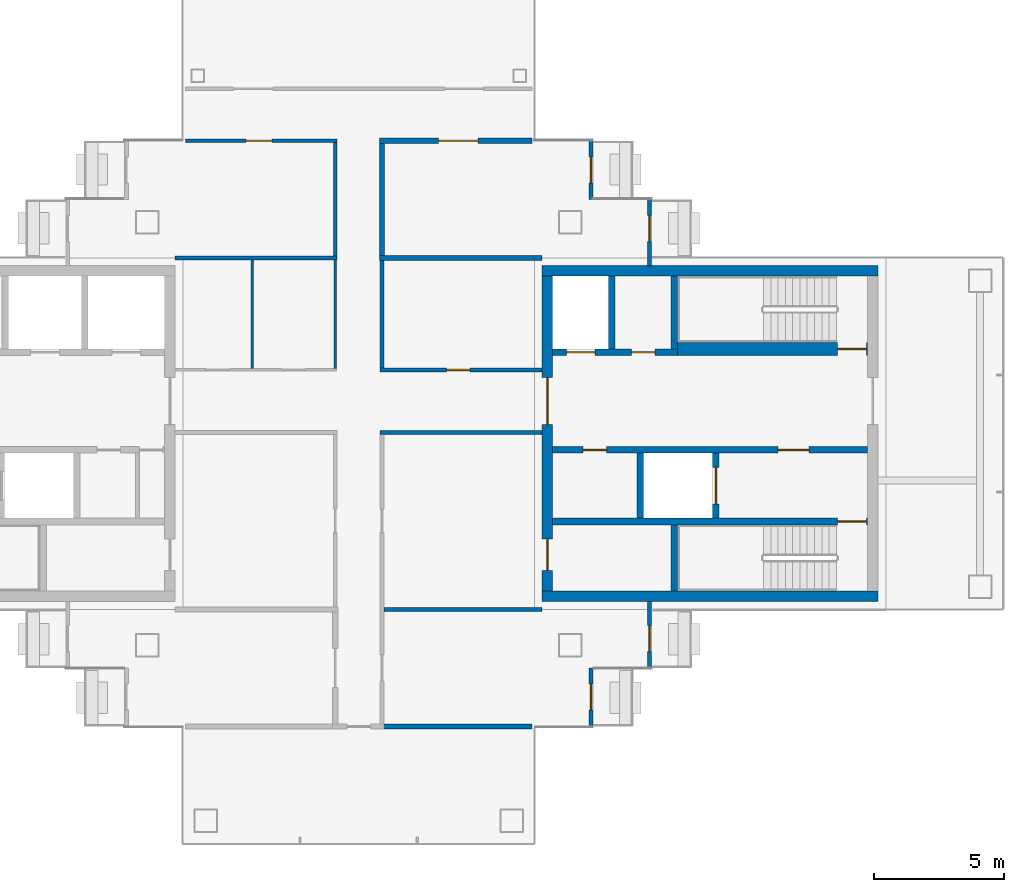
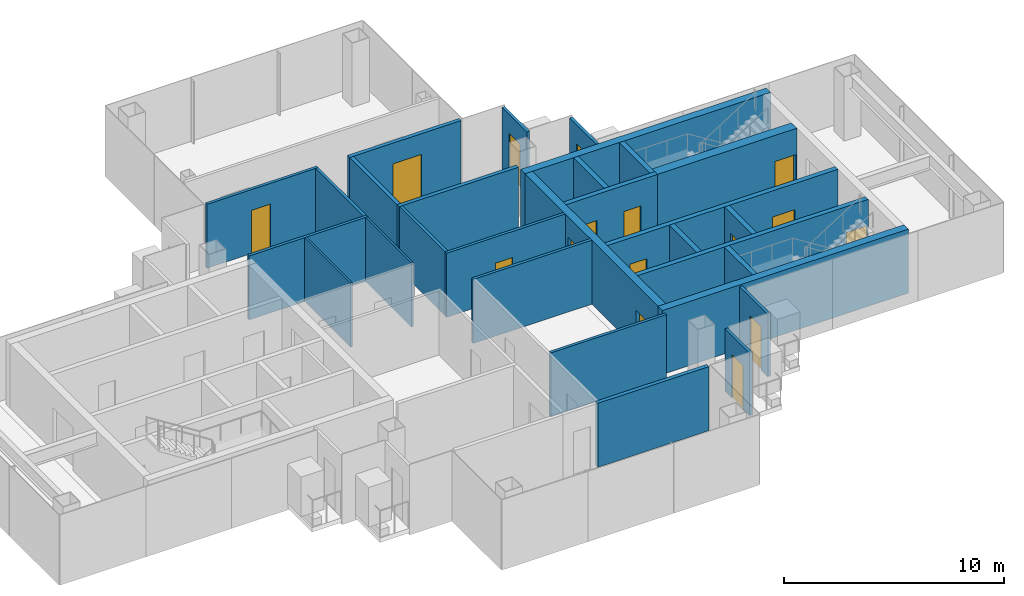
# One storey, part 12 of 17: 29 walls, 16 doors, 16 openings.
"""IFC4 building model written with IfcOpenShell, lengths in metres."""

from ifc_helpers import new_model, si_unit, direction, frame, frame_2d, origin, place, context, subcontext, project, spatial, rectangle, extrude, material, layer, layer_set, type_object, element, fill, save


model = new_model("IFC4")

# Units and contexts
model_context = context("Model", 3, precision=1e-05, world=origin(), true_north=direction((0.0, 1.0)))
body_context = subcontext(model_context, "Body", "Model", "MODEL_VIEW")
ifc_project = project(units=[si_unit("LENGTHUNIT", "METRE"), si_unit("AREAUNIT", "SQUARE_METRE"), si_unit("VOLUMEUNIT", "CUBIC_METRE"), si_unit("PLANEANGLEUNIT", "RADIAN"), si_unit("MASSUNIT", "GRAM", prefix="KILO")], contexts=[model_context])

# Site, building, storey
site_placement = place(None, origin())
site = spatial("IfcSite", under=ifc_project, at=site_placement, CompositionType="ELEMENT")
building_placement = place(site_placement, origin())
building = spatial("IfcBuilding", under=site, at=building_placement, Name="Shamsa Quay Exchange Towers", CompositionType="ELEMENT")
storey_placement = place(building_placement, frame((0.0, 0.0, 230.39990234375)))
storey = spatial("IfcBuildingStorey", under=building, at=storey_placement, Name="L55", CompositionType="ELEMENT", Elevation=230.39990234375)

# Wall
ifc_material_1 = material(Name="Double-leaf gypsum board partition with acoustic insulation")
ifc_layer_1 = layer(ifc_material_1, 0.199951171875)
ifc_layer_set_1 = layer_set([ifc_layer_1], Name="Acoustic partition 200 mm EI 60")
wall_type_1 = type_object("IfcWallType", Name="Acoustic partition 200 mm EI 60", PredefinedType="PARTITIONING", material=ifc_layer_set_1)
wall_1_placement = place(storey_placement, frame((34.650390625, 11.14990234375, 0.0), z_axis=(0.0, 0.0, 1.0), x_axis=(0.0, -1.0, 0.0)))
element("IfcWall", 1, at=wall_1_placement, inside=storey, type_object=wall_type_1, Name="Partition T2-R25-W11", PredefinedType="PARTITIONING", context=body_context, shape_type="SweptSolid", body=[
    extrude(rectangle(XDim=4.2998046875, YDim=0.199951171875, at=frame_2d((2.14990234375, 0.0))), origin(), (0.0, 0.0, 1.0), 3.550048828125),
])

# Wall, opening, door
wall_2_placement = place(storey_placement, frame((40.405029296875, 11.25, 0.0), z_axis=(0.0, 0.0, 1.0), x_axis=(-1.0, 0.0, 0.0)))
wall_2 = element("IfcWall", 2, at=wall_2_placement, inside=storey, type_object=wall_type_1, Name="Partition T2-R25-W12", PredefinedType="PARTITIONING", context=body_context, shape_type="SweptSolid", body=[
    extrude(rectangle(XDim=5.854736328125, YDim=0.199951171875, at=frame_2d((2.92724609375, 0.0))), origin(), (0.0, 0.0, 1.0), 3.550048828125),
])
opening_1_placement = place(wall_2_placement, frame((2.079833984375, 0.0, 0.0)))
opening_1 = element("IfcOpeningElement", 3, at=opening_1_placement, cuts=wall_2, Name="Opening T2-R25-D04", PredefinedType="OPENING", context=body_context, shape_type="SweptSolid", body=[
    extrude(rectangle(XDim=1.5, YDim=2.39990234375, at=frame_2d((0.75, 1.199951171875))), frame((0.0, 0.10986328125, 0.0), z_axis=(0.0, -1.0, 0.0), x_axis=(1.0, 0.0, 0.0)), (0.0, 0.0, 1.0), 0.219970703125),
])
ifc_material_2 = material(Name="Timber door leaf in a metal frame", Category="wood")
door_type_1 = type_object("IfcDoorType", Name="Door 1500x2400 FD30S pair", OperationType="NOTDEFINED", PredefinedType="DOOR", material=ifc_material_2)
door_1_placement = place(opening_1_placement, origin())
door_1 = element("IfcDoor", 4, at=door_1_placement, inside=storey, type_object=door_type_1, Name="Door T2-R25-D04", OperationType="DOUBLE_DOOR_SINGLE_SWING", OverallHeight=2.39990234375, OverallWidth=1.5, PredefinedType="DOOR", context=body_context, shape_type="SweptSolid", body=[
    extrude(rectangle(XDim=1.5, YDim=2.39990234375, at=frame_2d((0.75, 1.199951171875))), frame((0.0, 0.02490234375, 0.0), z_axis=(0.0, -1.0, 0.0), x_axis=(1.0, 0.0, 0.0)), (0.0, 0.0, 1.0), 0.050048828125),
])
fill(opening_1, door_1)

# Walls
wall_3_placement = place(storey_placement, frame((40.800048828125, 6.75, 0.0), z_axis=(0.0, 0.0, 1.0), x_axis=(-1.0, 0.0, 0.0)))
element("IfcWall", 5, at=wall_3_placement, inside=storey, type_object=wall_type_1, Name="Partition T2-R25-W19", PredefinedType="PARTITIONING", context=body_context, shape_type="SweptSolid", body=[
    extrude(rectangle(XDim=6.249755859375, YDim=0.199951171875, at=frame_2d((3.125, 0.0))), origin(), (0.0, 0.0, 1.0), 3.550048828125),
])
wall_4_placement = place(storey_placement, frame((34.575439453125, -11.25, 0.0)))
element("IfcWall", 6, at=wall_4_placement, inside=storey, type_object=wall_type_1, Name="Partition T2-R25-W21", PredefinedType="PARTITIONING", context=body_context, shape_type="SweptSolid", body=[
    extrude(rectangle(XDim=5.82958984375, YDim=0.199951171875, at=frame_2d((2.914794921875, 0.0))), origin(), (0.0, 0.0, 1.0), 3.550048828125),
])

# Wall, opening, door
ifc_material_3 = material(Name="Aluminium EN AW-6063 T6, black anodised, with black enamelled glass infill", Category="aluminium")
ifc_layer_2 = layer(ifc_material_3, 0.14990234375)
ifc_layer_set_2 = layer_set([ifc_layer_2], Name="BALCONY DOOR BAY WALL 150")
wall_type_2 = type_object("IfcWallType", Name="BALCONY DOOR BAY WALL 150", PredefinedType="SOLIDWALL", material=ifc_layer_set_2)
wall_5_placement = place(storey_placement, frame((42.675048828125, 11.25, 0.0), z_axis=(0.0, 0.0, 1.0), x_axis=(0.0, -1.0, 0.0)))
wall_5 = element("IfcWall", 7, at=wall_5_placement, inside=storey, type_object=wall_type_2, Name="Door bay T2-PKES L55", PredefinedType="SOLIDWALL", context=body_context, shape_type="SweptSolid", body=[
    extrude(rectangle(XDim=2.25, YDim=0.14990234375, at=frame_2d((1.125, 0.0))), origin(), (0.0, 0.0, 1.0), 3.4501953125),
])
opening_2_placement = place(wall_5_placement, frame((0.625, 0.0, 0.0)))
opening_2 = element("IfcOpeningElement", 8, at=opening_2_placement, cuts=wall_5, Name="Opening XD363", PredefinedType="OPENING", context=body_context, shape_type="SweptSolid", body=[
    extrude(rectangle(XDim=1.0, YDim=2.39990234375, at=frame_2d((0.5, 1.199951171875))), frame((0.0, 0.0849609375, 0.0), z_axis=(0.0, -1.0, 0.0), x_axis=(1.0, 0.0, 0.0)), (0.0, 0.0, 1.0), 0.169921875),
])
ifc_material_4 = material(Name="Aluminium EN AW-6063 T6, black anodised, with laminated glass leaf", Category="aluminium")
door_type_2 = type_object("IfcDoorType", Name="BALCONY DOOR 1000x2400", OperationType="SINGLE_SWING_LEFT", PredefinedType="DOOR", material=ifc_material_4)
door_2_placement = place(opening_2_placement, origin())
door_2 = element("IfcDoor", 9, at=door_2_placement, inside=storey, type_object=door_type_2, Name="Balcony door T2-PKES L55", OperationType="SINGLE_SWING_RIGHT", OverallHeight=2.39990234375, OverallWidth=1.0, PredefinedType="DOOR", context=body_context, shape_type="SweptSolid", body=[
    extrude(rectangle(XDim=1.0, YDim=2.39990234375, at=frame_2d((0.5, 1.199951171875))), frame((0.0, 0.02490234375, 0.0), z_axis=(0.0, -1.0, 0.0), x_axis=(1.0, 0.0, 0.0)), (0.0, 0.0, 1.0), 0.050048828125),
])
fill(opening_2, door_2)

wall_6_placement = place(storey_placement, frame((44.925048828125, 9.0, 0.0), z_axis=(0.0, 0.0, 1.0), x_axis=(0.0, -1.0, 0.0)))
wall_6 = element("IfcWall", 10, at=wall_6_placement, inside=storey, type_object=wall_type_2, Name="Door bay T2-PKES L55", PredefinedType="SOLIDWALL", context=body_context, shape_type="SweptSolid", body=[
    extrude(rectangle(XDim=2.556884765625, YDim=0.14990234375, at=frame_2d((1.2783203125, 0.0))), origin(), (0.0, 0.0, 1.0), 3.4501953125),
])
opening_3_placement = place(wall_6_placement, frame((0.625, 0.0, 0.0)))
opening_3 = element("IfcOpeningElement", 11, at=opening_3_placement, cuts=wall_6, Name="Opening XD364", PredefinedType="OPENING", context=body_context, shape_type="SweptSolid", body=[
    extrude(rectangle(XDim=1.0, YDim=2.39990234375, at=frame_2d((0.5, 1.199951171875))), frame((0.0, 0.0849609375, 0.0), z_axis=(0.0, -1.0, 0.0), x_axis=(1.0, 0.0, 0.0)), (0.0, 0.0, 1.0), 0.169921875),
])
door_3_placement = place(opening_3_placement, origin())
door_3 = element("IfcDoor", 12, at=door_3_placement, inside=storey, type_object=door_type_2, Name="Balcony door T2-PKES L55", OperationType="SINGLE_SWING_LEFT", OverallHeight=2.39990234375, OverallWidth=1.0, PredefinedType="DOOR", context=body_context, shape_type="SweptSolid", body=[
    extrude(rectangle(XDim=1.0, YDim=2.39990234375, at=frame_2d((0.5, 1.199951171875))), frame((0.0, 0.02490234375, 0.0), z_axis=(0.0, -1.0, 0.0), x_axis=(1.0, 0.0, 0.0)), (0.0, 0.0, 1.0), 0.050048828125),
])
fill(opening_3, door_3)

wall_7_placement = place(storey_placement, frame((42.675048828125, -9.0, 0.0), z_axis=(0.0, 0.0, 1.0), x_axis=(0.0, -1.0, 0.0)))
wall_7 = element("IfcWall", 13, at=wall_7_placement, inside=storey, type_object=wall_type_2, Name="Door bay T2-PKWS L55", PredefinedType="SOLIDWALL", context=body_context, shape_type="SweptSolid", body=[
    extrude(rectangle(XDim=2.25, YDim=0.14990234375, at=frame_2d((1.125, 0.0))), origin(), (0.0, 0.0, 1.0), 3.4501953125),
])
opening_4_placement = place(wall_7_placement, frame((0.625, 0.0, 0.0)))
opening_4 = element("IfcOpeningElement", 14, at=opening_4_placement, cuts=wall_7, Name="Opening XD367", PredefinedType="OPENING", context=body_context, shape_type="SweptSolid", body=[
    extrude(rectangle(XDim=1.0, YDim=2.39990234375, at=frame_2d((0.5, 1.199951171875))), frame((0.0, 0.0849609375, 0.0), z_axis=(0.0, -1.0, 0.0), x_axis=(1.0, 0.0, 0.0)), (0.0, 0.0, 1.0), 0.169921875),
])
door_4_placement = place(opening_4_placement, origin())
door_4 = element("IfcDoor", 15, at=door_4_placement, inside=storey, type_object=door_type_2, Name="Balcony door T2-PKWS L55", OperationType="SINGLE_SWING_LEFT", OverallHeight=2.39990234375, OverallWidth=1.0, PredefinedType="DOOR", context=body_context, shape_type="SweptSolid", body=[
    extrude(rectangle(XDim=1.0, YDim=2.39990234375, at=frame_2d((0.5, 1.199951171875))), frame((0.0, 0.02490234375, 0.0), z_axis=(0.0, -1.0, 0.0), x_axis=(1.0, 0.0, 0.0)), (0.0, 0.0, 1.0), 0.050048828125),
])
fill(opening_4, door_4)

wall_8_placement = place(storey_placement, frame((44.925048828125, -6.447998046875, 0.0), z_axis=(0.0, 0.0, 1.0), x_axis=(0.0, -1.0, 0.0)))
wall_8 = element("IfcWall", 16, at=wall_8_placement, inside=storey, type_object=wall_type_2, Name="Door bay T2-PKWS L55", PredefinedType="SOLIDWALL", context=body_context, shape_type="SweptSolid", body=[
    extrude(rectangle(XDim=2.552001953125, YDim=0.14990234375, at=frame_2d((1.27587890625, 0.0))), origin(), (0.0, 0.0, 1.0), 3.4501953125),
])
opening_5_placement = place(wall_8_placement, frame((0.927001953125, 0.0, 0.0)))
opening_5 = element("IfcOpeningElement", 17, at=opening_5_placement, cuts=wall_8, Name="Opening XD368", PredefinedType="OPENING", context=body_context, shape_type="SweptSolid", body=[
    extrude(rectangle(XDim=1.0, YDim=2.39990234375, at=frame_2d((0.5, 1.199951171875))), frame((0.0, 0.0849609375, 0.0), z_axis=(0.0, -1.0, 0.0), x_axis=(1.0, 0.0, 0.0)), (0.0, 0.0, 1.0), 0.169921875),
])
door_5_placement = place(opening_5_placement, origin())
door_5 = element("IfcDoor", 18, at=door_5_placement, inside=storey, type_object=door_type_2, Name="Balcony door T2-PKWS L55", OperationType="SINGLE_SWING_RIGHT", OverallHeight=2.39990234375, OverallWidth=1.0, PredefinedType="DOOR", context=body_context, shape_type="SweptSolid", body=[
    extrude(rectangle(XDim=1.0, YDim=2.39990234375, at=frame_2d((0.5, 1.199951171875))), frame((0.0, 0.02490234375, 0.0), z_axis=(0.0, -1.0, 0.0), x_axis=(1.0, 0.0, 0.0)), (0.0, 0.0, 1.0), 0.050048828125),
])
fill(opening_5, door_5)

# Walls
ifc_material_5 = material(Name="Concrete C60/75", Category="concrete")
ifc_layer_3 = layer(ifc_material_5, 0.39990234375)
ifc_layer_set_3 = layer_set([ifc_layer_3], Name="CORE WALL 400 C60/75")
wall_type_3 = type_object("IfcWallType", Name="CORE WALL 400 C60/75", PredefinedType="SHEAR", material=ifc_layer_set_3)
for number, where, z_axis, x_axis, name in (
    (19, (53.699951171875, -6.25, 0.0), (0.0, 0.0, 1.0), (-1.0, 0.0, 0.0), "Core wall T2B-R25-PS"),
    (20, (53.699951171875, 6.25, 0.0), (0.0, 0.0, 1.0), (-1.0, 0.0, 0.0), "Core wall T2B-R25-PN"),
):
    element("IfcWall", number, at=place(storey_placement, frame(where, z_axis=z_axis, x_axis=x_axis)), inside=storey, type_object=wall_type_3, Name=name, PredefinedType="SHEAR", context=body_context, shape_type="SweptSolid", body=[
        extrude(rectangle(XDim=12.89990234375, YDim=0.39990234375, at=frame_2d((6.449951171875, 0.0))), origin(), (0.0, 0.0, 1.0), 3.550048828125),
    ])

# Wall, openings, doors
wall_9_placement = place(storey_placement, frame((41.0, -6.050048828125, 0.0), z_axis=(0.0, 0.0, 1.0), x_axis=(0.0, 1.0, 0.0)))
wall_9 = element("IfcWall", 21, at=wall_9_placement, inside=storey, type_object=wall_type_3, Name="Core wall T2B-R25-PB", PredefinedType="SHEAR", context=body_context, shape_type="SweptSolid", body=[
    extrude(rectangle(XDim=12.10009765625, YDim=0.39990234375, at=frame_2d((6.050048828125, 0.0))), origin(), (0.0, 0.0, 1.0), 3.550048828125),
])
opening_6_placement = place(wall_9_placement, frame((0.800048828125, 0.0, 0.0)))
opening_6 = element("IfcOpeningElement", 22, at=opening_6_placement, cuts=wall_9, Name="Opening T2B-R25-RD02", PredefinedType="OPENING", context=body_context, shape_type="SweptSolid", body=[
    extrude(rectangle(XDim=1.199951171875, YDim=2.10009765625, at=frame_2d((0.60009765625, 1.050048828125))), frame((0.0, 0.2099609375, 0.0), z_axis=(0.0, -1.0, 0.0), x_axis=(1.0, 0.0, 0.0)), (0.0, 0.0, 1.0), 0.419921875),
])
opening_7_placement = place(wall_9_placement, frame((6.39990234375, 0.0, 0.0)))
opening_7 = element("IfcOpeningElement", 23, at=opening_7_placement, cuts=wall_9, Name="Opening T2B-R25-LBD03", PredefinedType="OPENING", context=body_context, shape_type="SweptSolid", body=[
    extrude(rectangle(XDim=1.800048828125, YDim=2.39990234375, at=frame_2d((0.89990234375, 1.199951171875))), frame((0.0, 0.2099609375, 0.0), z_axis=(0.0, -1.0, 0.0), x_axis=(1.0, 0.0, 0.0)), (0.0, 0.0, 1.0), 0.419921875),
])
ifc_material_6 = material(Name="Steel, fire rated", Category="steel")
door_type_3 = type_object("IfcDoorType", Name="LIFT LOBBY DOOR PAIR 1800", OperationType="DOUBLE_DOOR_SINGLE_SWING", PredefinedType="DOOR", material=ifc_material_6)
door_6_placement = place(opening_7_placement, origin())
door_6 = element("IfcDoor", 24, at=door_6_placement, inside=storey, type_object=door_type_3, Name="T2B-R25-LBD03", OperationType="DOUBLE_DOOR_SINGLE_SWING", OverallHeight=2.39990234375, OverallWidth=1.800048828125, PredefinedType="DOOR", context=body_context, shape_type="SweptSolid", body=[
    extrude(rectangle(XDim=1.800048828125, YDim=2.39990234375, at=frame_2d((0.89990234375, 1.199951171875))), frame((0.0, 0.02490234375, 0.0), z_axis=(0.0, -1.0, 0.0), x_axis=(1.0, 0.0, 0.0)), (0.0, 0.0, 1.0), 0.050048828125),
])
fill(opening_7, door_6)
door_type_4 = type_object("IfcDoorType", Name="RISER ACCESS DOOR 1200", OperationType="SINGLE_SWING_LEFT", PredefinedType="DOOR", material=ifc_material_6)
door_7_placement = place(opening_6_placement, origin())
door_7 = element("IfcDoor", 25, at=door_7_placement, inside=storey, type_object=door_type_4, Name="T2B-R25-RD02", OperationType="SINGLE_SWING_LEFT", OverallHeight=2.10009765625, OverallWidth=1.199951171875, PredefinedType="DOOR", context=body_context, shape_type="SweptSolid", body=[
    extrude(rectangle(XDim=1.199951171875, YDim=2.10009765625, at=frame_2d((0.60009765625, 1.050048828125))), frame((0.0, 0.02490234375, 0.0), z_axis=(0.0, -1.0, 0.0), x_axis=(1.0, 0.0, 0.0)), (0.0, 0.0, 1.0), 0.050048828125),
])
fill(opening_6, door_7)

# Walls
ifc_material_7 = material(Name="Gypsum board partition on metal studs")
ifc_layer_4 = layer(ifc_material_7, 0.10009765625)
ifc_layer_set_4 = layer_set([ifc_layer_4], Name="Partition 100 mm NOT RATED")
wall_type_4 = type_object("IfcWallType", Name="Partition 100 mm NOT RATED", PredefinedType="PARTITIONING", material=ifc_layer_set_4)
for number, where, z_axis, x_axis, name in (
    (26, (32.849609375, 2.500244140625, 0.0), (0.0, 0.0, 1.0), (0.0, 1.0, 0.0), "Partition T2-R25-W01"),
    (27, (29.662109375, 6.675048828125, 0.0), (0.0, 0.0, 1.0), (0.0, -1.0, 0.0), "Partition T2-R25-W16"),
):
    element("IfcWall", number, at=place(storey_placement, frame(where, z_axis=z_axis, x_axis=x_axis)), inside=storey, type_object=wall_type_4, Name=name, PredefinedType="PARTITIONING", context=body_context, shape_type="SweptSolid", body=[
        extrude(rectangle(XDim=4.1748046875, YDim=0.10009765625, at=frame_2d((2.08740234375, 0.0))), origin(), (0.0, 0.0, 1.0), 3.550048828125),
    ])
ifc_layer_5 = layer(ifc_material_7, 0.14990234375)
ifc_layer_set_5 = layer_set([ifc_layer_5], Name="Partition 150 mm EI 60")
wall_type_5 = type_object("IfcWallType", Name="Partition 150 mm EI 60", PredefinedType="PARTITIONING", material=ifc_layer_set_5)
wall_10_placement = place(storey_placement, frame((40.800048828125, 0.0498046875, 0.0), z_axis=(0.0, 0.0, 1.0), x_axis=(-1.0, 0.0, 0.0)))
element("IfcWall", 28, at=wall_10_placement, inside=storey, type_object=wall_type_5, Name="Partition T2-R25-W04", PredefinedType="PARTITIONING", context=body_context, shape_type="SweptSolid", body=[
    extrude(rectangle(XDim=6.224609375, YDim=0.14990234375, at=frame_2d((3.1123046875, 0.0))), origin(), (0.0, 0.0, 1.0), 3.550048828125),
])
wall_11_placement = place(storey_placement, frame((32.849609375, 6.824951171875, 0.0), z_axis=(0.0, 0.0, 1.0), x_axis=(0.0, 1.0, 0.0)))
element("IfcWall", 29, at=wall_11_placement, inside=storey, type_object=wall_type_5, Name="Partition T2-R25-W05", PredefinedType="PARTITIONING", context=body_context, shape_type="SweptSolid", body=[
    extrude(rectangle(XDim=4.35009765625, YDim=0.14990234375, at=frame_2d((2.175048828125, 0.0))), origin(), (0.0, 0.0, 1.0), 3.550048828125),
])

# Wall, opening, door
wall_12_placement = place(storey_placement, frame((34.575439453125, 2.4501953125, 0.0)))
wall_12 = element("IfcWall", 30, at=wall_12_placement, inside=storey, type_object=wall_type_5, Name="Partition T2-R25-W07", PredefinedType="PARTITIONING", context=body_context, shape_type="SweptSolid", body=[
    extrude(rectangle(XDim=6.224609375, YDim=0.14990234375, at=frame_2d((3.1123046875, 0.0))), origin(), (0.0, 0.0, 1.0), 3.550048828125),
])
opening_8_placement = place(wall_12_placement, frame((2.5498046875, 0.0, 0.0)))
opening_8 = element("IfcOpeningElement", 31, at=opening_8_placement, cuts=wall_12, Name="Opening T2-R25-D01", PredefinedType="OPENING", context=body_context, shape_type="SweptSolid", body=[
    extrude(rectangle(XDim=0.89990234375, YDim=2.10009765625, at=frame_2d((0.449951171875, 1.050048828125))), frame((0.0, 0.0849609375, 0.0), z_axis=(0.0, -1.0, 0.0), x_axis=(1.0, 0.0, 0.0)), (0.0, 0.0, 1.0), 0.169921875),
])
door_type_5 = type_object("IfcDoorType", Name="Door 900x2100 FD30S", OperationType="NOTDEFINED", PredefinedType="DOOR", material=ifc_material_2)
door_8_placement = place(opening_8_placement, origin())
door_8 = element("IfcDoor", 32, at=door_8_placement, inside=storey, type_object=door_type_5, Name="Door T2-R25-D01", OperationType="SINGLE_SWING_RIGHT", OverallHeight=2.10009765625, OverallWidth=0.89990234375, PredefinedType="DOOR", context=body_context, shape_type="SweptSolid", body=[
    extrude(rectangle(XDim=0.89990234375, YDim=2.10009765625, at=frame_2d((0.449951171875, 1.050048828125))), frame((0.0, 0.02490234375, 0.0), z_axis=(0.0, -1.0, 0.0), x_axis=(1.0, 0.0, 0.0)), (0.0, 0.0, 1.0), 0.050048828125),
])
fill(opening_8, door_8)

# Wall
wall_13_placement = place(storey_placement, frame((34.650390625, 6.64990234375, 0.0), z_axis=(0.0, 0.0, 1.0), x_axis=(0.0, -1.0, 0.0)))
element("IfcWall", 33, at=wall_13_placement, inside=storey, type_object=wall_type_5, Name="Partition T2-R25-W09", PredefinedType="PARTITIONING", context=body_context, shape_type="SweptSolid", body=[
    extrude(rectangle(XDim=4.124755859375, YDim=0.14990234375, at=frame_2d((2.0625, 0.0))), origin(), (0.0, 0.0, 1.0), 3.550048828125),
])

# Wall, opening, door
wall_14_placement = place(storey_placement, frame((32.924560546875, 11.25, 0.0), z_axis=(0.0, 0.0, 1.0), x_axis=(-1.0, 0.0, 0.0)))
wall_14 = element("IfcWall", 34, at=wall_14_placement, inside=storey, type_object=wall_type_5, Name="Partition T2-R25-W10", PredefinedType="PARTITIONING", context=body_context, shape_type="SweptSolid", body=[
    extrude(rectangle(XDim=5.82958984375, YDim=0.14990234375, at=frame_2d((2.914794921875, 0.0))), origin(), (0.0, 0.0, 1.0), 3.550048828125),
])
opening_9_placement = place(wall_14_placement, frame((2.499755859375, 0.0, 0.0)))
opening_9 = element("IfcOpeningElement", 35, at=opening_9_placement, cuts=wall_14, Name="Opening T2-R25-D10", PredefinedType="OPENING", context=body_context, shape_type="SweptSolid", body=[
    extrude(rectangle(XDim=1.0, YDim=2.39990234375, at=frame_2d((0.5, 1.199951171875))), frame((0.0, 0.0849609375, 0.0), z_axis=(0.0, -1.0, 0.0), x_axis=(1.0, 0.0, 0.0)), (0.0, 0.0, 1.0), 0.169921875),
])
door_type_6 = type_object("IfcDoorType", Name="Door 1000x2400 FD30S", OperationType="NOTDEFINED", PredefinedType="DOOR", material=ifc_material_2)
door_9_placement = place(opening_9_placement, origin())
door_9 = element("IfcDoor", 36, at=door_9_placement, inside=storey, type_object=door_type_6, Name="Door T2-R25-D10", OperationType="SINGLE_SWING_LEFT", OverallHeight=2.39990234375, OverallWidth=1.0, PredefinedType="DOOR", context=body_context, shape_type="SweptSolid", body=[
    extrude(rectangle(XDim=1.0, YDim=2.39990234375, at=frame_2d((0.5, 1.199951171875))), frame((0.0, 0.02490234375, 0.0), z_axis=(0.0, -1.0, 0.0), x_axis=(1.0, 0.0, 0.0)), (0.0, 0.0, 1.0), 0.050048828125),
])
fill(opening_9, door_9)

# Walls
wall_15_placement = place(storey_placement, frame((32.924560546875, 6.75, 0.0), z_axis=(0.0, 0.0, 1.0), x_axis=(-1.0, 0.0, 0.0)))
element("IfcWall", 37, at=wall_15_placement, inside=storey, type_object=wall_type_5, Name="Partition T2-R25-W17", PredefinedType="PARTITIONING", context=body_context, shape_type="SweptSolid", body=[
    extrude(rectangle(XDim=6.224609375, YDim=0.14990234375, at=frame_2d((3.1123046875, 0.0))), origin(), (0.0, 0.0, 1.0), 3.550048828125),
])
wall_16_placement = place(storey_placement, frame((34.725341796875, -6.75, 0.0)))
element("IfcWall", 38, at=wall_16_placement, inside=storey, type_object=wall_type_5, Name="Partition T2-R25-W20", PredefinedType="PARTITIONING", context=body_context, shape_type="SweptSolid", body=[
    extrude(rectangle(XDim=6.07470703125, YDim=0.14990234375, at=frame_2d((3.037353515625, 0.0))), origin(), (0.0, 0.0, 1.0), 3.550048828125),
])

# Wall, opening, door
ifc_material_8 = material(Name="Concrete C50/60", Category="concrete")
ifc_layer_6 = layer(ifc_material_8, 0.25)
ifc_layer_set_6 = layer_set([ifc_layer_6], Name="SHAFT WALL 250 C50/60")
wall_type_6 = type_object("IfcWallType", Name="SHAFT WALL 250 C50/60", PredefinedType="SHEAR", material=ifc_layer_set_6)
wall_17_placement = place(storey_placement, frame((53.300048828125, -3.375, 0.0), z_axis=(0.0, 0.0, 1.0), x_axis=(-1.0, 0.0, 0.0)))
wall_17 = element("IfcWall", 39, at=wall_17_placement, inside=storey, type_object=wall_type_6, Name="Shaft wall T2B-R25-STL", PredefinedType="SHEAR", context=body_context, shape_type="SweptSolid", body=[
    extrude(rectangle(XDim=12.10009765625, YDim=0.25, at=frame_2d((6.050048828125, 0.0))), origin(), (0.0, 0.0, 1.0), 3.550048828125),
])
opening_10_placement = place(wall_17_placement, frame((0.050048828125, 0.0, 0.0)))
opening_10 = element("IfcOpeningElement", 40, at=opening_10_placement, cuts=wall_17, Name="Opening T2B-R25-SD04", PredefinedType="OPENING", context=body_context, shape_type="SweptSolid", body=[
    extrude(rectangle(XDim=1.10009765625, YDim=2.10009765625, at=frame_2d((0.550048828125, 1.050048828125))), frame((0.0, 0.135009765625, 0.0), z_axis=(0.0, -1.0, 0.0), x_axis=(1.0, 0.0, 0.0)), (0.0, 0.0, 1.0), 0.27001953125),
])
door_type_7 = type_object("IfcDoorType", Name="STAIR DOOR 1100", OperationType="SINGLE_SWING_LEFT", PredefinedType="DOOR", material=ifc_material_6)
door_10_placement = place(opening_10_placement, origin())
door_10 = element("IfcDoor", 41, at=door_10_placement, inside=storey, type_object=door_type_7, Name="T2B-R25-SD04", OperationType="SINGLE_SWING_LEFT", OverallHeight=2.10009765625, OverallWidth=1.10009765625, PredefinedType="DOOR", context=body_context, shape_type="SweptSolid", body=[
    extrude(rectangle(XDim=1.10009765625, YDim=2.10009765625, at=frame_2d((0.550048828125, 1.050048828125))), frame((0.0, 0.02490234375, 0.0), z_axis=(0.0, -1.0, 0.0), x_axis=(1.0, 0.0, 0.0)), (0.0, 0.0, 1.0), 0.050048828125),
])
fill(opening_10, door_10)

# Wall
wall_18_placement = place(storey_placement, frame((45.875, -6.050048828125, 0.0), z_axis=(0.0, 0.0, 1.0), x_axis=(0.0, 1.0, 0.0)))
element("IfcWall", 42, at=wall_18_placement, inside=storey, type_object=wall_type_6, Name="Shaft wall T2B-R25-STF", PredefinedType="SHEAR", context=body_context, shape_type="SweptSolid", body=[
    extrude(rectangle(XDim=2.550048828125, YDim=0.25, at=frame_2d((1.27490234375, 0.0))), origin(), (0.0, 0.0, 1.0), 3.550048828125),
])

# Wall, openings, doors
wall_19_placement = place(storey_placement, frame((53.300048828125, -0.625, 0.0), z_axis=(0.0, 0.0, 1.0), x_axis=(-1.0, 0.0, 0.0)))
wall_19 = element("IfcWall", 43, at=wall_19_placement, inside=storey, type_object=wall_type_6, Name="Shaft wall T2B-R25-B", PredefinedType="SHEAR", context=body_context, shape_type="SweptSolid", body=[
    extrude(rectangle(XDim=12.10009765625, YDim=0.25, at=frame_2d((6.050048828125, 0.0))), origin(), (0.0, 0.0, 1.0), 3.550048828125),
])
opening_11_placement = place(wall_19_placement, frame((2.25, 0.0, 0.0)))
opening_11 = element("IfcOpeningElement", 44, at=opening_11_placement, cuts=wall_19, Name="Opening T2B-R25-FD05", PredefinedType="OPENING", context=body_context, shape_type="SweptSolid", body=[
    extrude(rectangle(XDim=1.199951171875, YDim=2.10009765625, at=frame_2d((0.60009765625, 1.050048828125))), frame((0.0, 0.135009765625, 0.0), z_axis=(0.0, -1.0, 0.0), x_axis=(1.0, 0.0, 0.0)), (0.0, 0.0, 1.0), 0.27001953125),
])
opening_12_placement = place(wall_19_placement, frame((10.02490234375, 0.0, 0.0)))
opening_12 = element("IfcOpeningElement", 45, at=opening_12_placement, cuts=wall_19, Name="Opening T2B-R25-SV06", PredefinedType="OPENING", context=body_context, shape_type="SweptSolid", body=[
    extrude(rectangle(XDim=0.89990234375, YDim=2.10009765625, at=frame_2d((0.449951171875, 1.050048828125))), frame((0.0, 0.135009765625, 0.0), z_axis=(0.0, -1.0, 0.0), x_axis=(1.0, 0.0, 0.0)), (0.0, 0.0, 1.0), 0.27001953125),
])
door_type_8 = type_object("IfcDoorType", Name="FIRE SERVICE LOBBY DOOR 1200", OperationType="SINGLE_SWING_LEFT", PredefinedType="DOOR", material=ifc_material_6)
door_11_placement = place(opening_11_placement, origin())
door_11 = element("IfcDoor", 46, at=door_11_placement, inside=storey, type_object=door_type_8, Name="T2B-R25-FD05", OperationType="SINGLE_SWING_LEFT", OverallHeight=2.10009765625, OverallWidth=1.199951171875, PredefinedType="DOOR", context=body_context, shape_type="SweptSolid", body=[
    extrude(rectangle(XDim=1.199951171875, YDim=2.10009765625, at=frame_2d((0.60009765625, 1.050048828125))), frame((0.0, 0.02490234375, 0.0), z_axis=(0.0, -1.0, 0.0), x_axis=(1.0, 0.0, 0.0)), (0.0, 0.0, 1.0), 0.050048828125),
])
fill(opening_11, door_11)
door_type_9 = type_object("IfcDoorType", Name="SERVICE ROOM DOOR 900", OperationType="SINGLE_SWING_LEFT", PredefinedType="DOOR", material=ifc_material_6)
door_12_placement = place(opening_12_placement, origin())
door_12 = element("IfcDoor", 47, at=door_12_placement, inside=storey, type_object=door_type_9, Name="T2B-R25-SV06", OperationType="SINGLE_SWING_RIGHT", OverallHeight=2.10009765625, OverallWidth=0.89990234375, PredefinedType="DOOR", context=body_context, shape_type="SweptSolid", body=[
    extrude(rectangle(XDim=0.89990234375, YDim=2.10009765625, at=frame_2d((0.449951171875, 1.050048828125))), frame((0.0, 0.02490234375, 0.0), z_axis=(0.0, -1.0, 0.0), x_axis=(1.0, 0.0, 0.0)), (0.0, 0.0, 1.0), 0.050048828125),
])
fill(opening_12, door_12)

# Wall, opening, door
wall_20_placement = place(storey_placement, frame((47.47509765625, -3.25, 0.0), z_axis=(0.0, 0.0, 1.0), x_axis=(0.0, 1.0, 0.0)))
wall_20 = element("IfcWall", 48, at=wall_20_placement, inside=storey, type_object=wall_type_6, Name="Shaft wall T2B-R25-FFF", PredefinedType="SHEAR", context=body_context, shape_type="SweptSolid", body=[
    extrude(rectangle(XDim=2.5, YDim=0.25, at=frame_2d((1.25, 0.0))), origin(), (0.0, 0.0, 1.0), 3.550048828125),
])
opening_13_placement = place(wall_20_placement, frame((0.550048828125, 0.0, 0.0)))
opening_13 = element("IfcOpeningElement", 49, at=opening_13_placement, cuts=wall_20, Name="Opening T2B-R25-LDG07", PredefinedType="OPENING", context=body_context, shape_type="SweptSolid", body=[
    extrude(rectangle(XDim=1.39990234375, YDim=2.39990234375, at=frame_2d((0.699951171875, 1.199951171875))), frame((0.0, 0.135009765625, 0.0), z_axis=(0.0, -1.0, 0.0), x_axis=(1.0, 0.0, 0.0)), (0.0, 0.0, 1.0), 0.27001953125),
])
door_type_10 = type_object("IfcDoorType", Name="GOODS LIFT LANDING DOOR 1400", OperationType="SLIDING_TO_LEFT", PredefinedType="DOOR", material=ifc_material_6)
door_13_placement = place(opening_13_placement, origin())
door_13 = element("IfcDoor", 50, at=door_13_placement, inside=storey, type_object=door_type_10, Name="T2B-R25-LDG07", OperationType="SLIDING_TO_LEFT", OverallHeight=2.39990234375, OverallWidth=1.39990234375, PredefinedType="DOOR", context=body_context, shape_type="SweptSolid", body=[
    extrude(rectangle(XDim=1.39990234375, YDim=2.39990234375, at=frame_2d((0.699951171875, 1.199951171875))), frame((0.0, 0.02490234375, 0.0), z_axis=(0.0, -1.0, 0.0), x_axis=(1.0, 0.0, 0.0)), (0.0, 0.0, 1.0), 0.050048828125),
])
fill(opening_13, door_13)

# Wall
wall_21_placement = place(storey_placement, frame((44.574951171875, -3.25, 0.0), z_axis=(0.0, 0.0, 1.0), x_axis=(0.0, 1.0, 0.0)))
element("IfcWall", 51, at=wall_21_placement, inside=storey, type_object=wall_type_6, Name="Shaft wall T2B-R25-FFB", PredefinedType="SHEAR", context=body_context, shape_type="SweptSolid", body=[
    extrude(rectangle(XDim=2.5, YDim=0.25, at=frame_2d((1.25, 0.0))), origin(), (0.0, 0.0, 1.0), 3.550048828125),
])

# Wall, openings, doors
wall_22_placement = place(storey_placement, frame((41.199951171875, 3.125, 0.0)))
wall_22 = element("IfcWall", 52, at=wall_22_placement, inside=storey, type_object=wall_type_6, Name="Shaft wall T2B-R25-N2", PredefinedType="SHEAR", context=body_context, shape_type="SweptSolid", body=[
    extrude(rectangle(XDim=4.800048828125, YDim=0.25, at=frame_2d((2.39990234375, 0.0))), origin(), (0.0, 0.0, 1.0), 3.550048828125),
])
opening_14_placement = place(wall_22_placement, frame((0.52490234375, 0.0, 0.0)))
opening_14 = element("IfcOpeningElement", 53, at=opening_14_placement, cuts=wall_22, Name="Opening T2B-R25-LD09", PredefinedType="OPENING", context=body_context, shape_type="SweptSolid", body=[
    extrude(rectangle(XDim=1.10009765625, YDim=2.10009765625, at=frame_2d((0.550048828125, 1.050048828125))), frame((0.0, 0.135009765625, 0.0), z_axis=(0.0, -1.0, 0.0), x_axis=(1.0, 0.0, 0.0)), (0.0, 0.0, 1.0), 0.27001953125),
])
opening_15_placement = place(wall_22_placement, frame((3.02490234375, 0.0, 0.0)))
opening_15 = element("IfcOpeningElement", 54, at=opening_15_placement, cuts=wall_22, Name="Opening T2B-R25-SV10", PredefinedType="OPENING", context=body_context, shape_type="SweptSolid", body=[
    extrude(rectangle(XDim=0.89990234375, YDim=2.10009765625, at=frame_2d((0.449951171875, 1.050048828125))), frame((0.0, 0.135009765625, 0.0), z_axis=(0.0, -1.0, 0.0), x_axis=(1.0, 0.0, 0.0)), (0.0, 0.0, 1.0), 0.27001953125),
])
door_type_11 = type_object("IfcDoorType", Name="LANDING DOOR 1100", OperationType="SLIDING_TO_LEFT", PredefinedType="DOOR", material=ifc_material_6)
door_14_placement = place(opening_14_placement, origin())
door_14 = element("IfcDoor", 55, at=door_14_placement, inside=storey, type_object=door_type_11, Name="T2B-R25-LD09", OperationType="SLIDING_TO_LEFT", OverallHeight=2.10009765625, OverallWidth=1.10009765625, PredefinedType="DOOR", context=body_context, shape_type="SweptSolid", body=[
    extrude(rectangle(XDim=1.10009765625, YDim=2.10009765625, at=frame_2d((0.550048828125, 1.050048828125))), frame((0.0, 0.02490234375, 0.0), z_axis=(0.0, -1.0, 0.0), x_axis=(1.0, 0.0, 0.0)), (0.0, 0.0, 1.0), 0.050048828125),
])
fill(opening_14, door_14)
door_15_placement = place(opening_15_placement, origin())
door_15 = element("IfcDoor", 56, at=door_15_placement, inside=storey, type_object=door_type_9, Name="T2B-R25-SV10", OperationType="SINGLE_SWING_RIGHT", OverallHeight=2.10009765625, OverallWidth=0.89990234375, PredefinedType="DOOR", context=body_context, shape_type="SweptSolid", body=[
    extrude(rectangle(XDim=0.89990234375, YDim=2.10009765625, at=frame_2d((0.449951171875, 1.050048828125))), frame((0.0, 0.02490234375, 0.0), z_axis=(0.0, -1.0, 0.0), x_axis=(1.0, 0.0, 0.0)), (0.0, 0.0, 1.0), 0.050048828125),
])
fill(opening_15, door_15)

# Walls
for number, where, z_axis, x_axis, name in (
    (57, (45.875, 3.25, 0.0), (0.0, 0.0, 1.0), (0.0, 1.0, 0.0), "Shaft wall T2B-R25-STF2"),
    (58, (43.47509765625, 3.25, 0.0), (0.0, 0.0, 1.0), (0.0, 1.0, 0.0), "Shaft wall T2B-R25-D0"),
):
    element("IfcWall", number, at=place(storey_placement, frame(where, z_axis=z_axis, x_axis=x_axis)), inside=storey, type_object=wall_type_6, Name=name, PredefinedType="SHEAR", context=body_context, shape_type="SweptSolid", body=[
        extrude(rectangle(XDim=2.800048828125, YDim=0.25, at=frame_2d((1.39990234375, 0.0))), origin(), (0.0, 0.0, 1.0), 3.550048828125),
    ])

# Wall, opening, door
ifc_layer_7 = layer(ifc_material_8, 0.5)
ifc_layer_set_7 = layer_set([ifc_layer_7], Name="SHAFT WALL 500 C50/60")
wall_type_7 = type_object("IfcWallType", Name="SHAFT WALL 500 C50/60", PredefinedType="SHEAR", material=ifc_layer_set_7)
wall_23_placement = place(storey_placement, frame((46.0, 3.25, 0.0)))
wall_23 = element("IfcWall", 59, at=wall_23_placement, inside=storey, type_object=wall_type_7, Name="Shaft wall T2B-R25-N", PredefinedType="SHEAR", context=body_context, shape_type="SweptSolid", body=[
    extrude(rectangle(XDim=7.300048828125, YDim=0.5, at=frame_2d((3.64990234375, 0.0))), origin(), (0.0, 0.0, 1.0), 3.550048828125),
])
opening_16_placement = place(wall_23_placement, frame((6.14990234375, 0.0, 0.0)))
opening_16 = element("IfcOpeningElement", 60, at=opening_16_placement, cuts=wall_23, Name="Opening T2B-R25-SD08", PredefinedType="OPENING", context=body_context, shape_type="SweptSolid", body=[
    extrude(rectangle(XDim=1.10009765625, YDim=2.10009765625, at=frame_2d((0.550048828125, 1.050048828125))), frame((0.0, 0.260009765625, 0.0), z_axis=(0.0, -1.0, 0.0), x_axis=(1.0, 0.0, 0.0)), (0.0, 0.0, 1.0), 0.52001953125),
])
door_16_placement = place(opening_16_placement, origin())
door_16 = element("IfcDoor", 61, at=door_16_placement, inside=storey, type_object=door_type_7, Name="T2B-R25-SD08", OperationType="SINGLE_SWING_RIGHT", OverallHeight=2.10009765625, OverallWidth=1.10009765625, PredefinedType="DOOR", context=body_context, shape_type="SweptSolid", body=[
    extrude(rectangle(XDim=1.10009765625, YDim=2.10009765625, at=frame_2d((0.550048828125, 1.050048828125))), frame((0.0, 0.02490234375, 0.0), z_axis=(0.0, -1.0, 0.0), x_axis=(1.0, 0.0, 0.0)), (0.0, 0.0, 1.0), 0.050048828125),
])
fill(opening_16, door_16)

save(model, "model.ifc")
